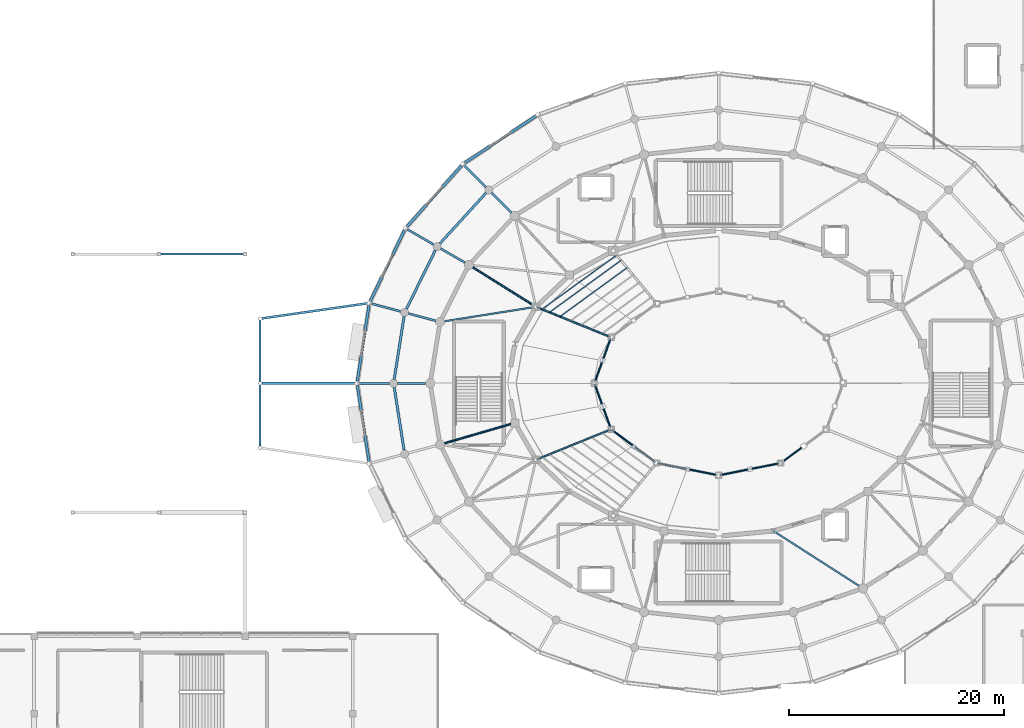
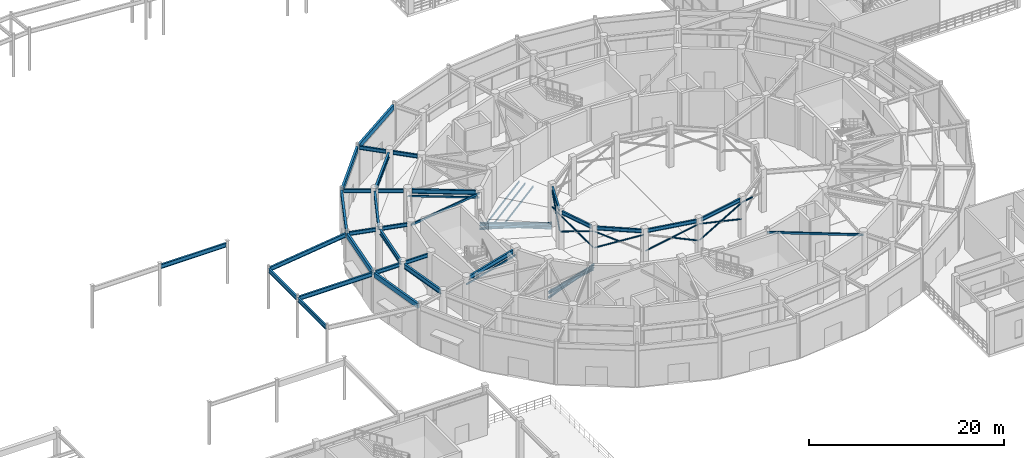
# One storey, part 25 of 93: 31 beams, 27 members.
"""IFC4 building model written with IfcOpenShell, lengths in metres."""

import ifcopenshell
import ifcopenshell.guid

model = None  # the IFC model being written
_history = None  # IfcOwnerHistory: only IFC2X3 demands one
_inside = {}  # id of a spatial element -> (the spatial element, [elements in it])
_under = {}  # id of a project, library or spatial element -> (it, [spatial elements below it])
_declared = {}  # id of a project -> (the project, [libraries it declares])
_typed = {}  # id of a type object -> (the type object, [elements of that type])
_made_of = {}  # id of a material, layer set ... -> (it, [elements and type objects made of it])


def new_model(schema):
    """Start an empty IFC model of exactly this schema.

    Asked for "IFC4X3", IfcOpenShell would pick the latest addendum, in which some entities
    have other attributes; the version numbers below select the first issue.
    IFC2X3 requires an IfcOwnerHistory on every rooted entity: one is made here for all.
    """
    global model, _history
    if schema == "IFC4X3":
        model = ifcopenshell.file(schema_version=(4, 3, 0, 0))
    else:
        model = ifcopenshell.file(schema=schema)
    _inside.clear()
    _under.clear()
    _declared.clear()
    _typed.clear()
    _made_of.clear()
    _history = None
    if model.schema == "IFC2X3":
        org = make("IfcOrganization", Name="unknown")
        user = make(
            "IfcPersonAndOrganization",
            ThePerson=make("IfcPerson", FamilyName="unknown"),
            TheOrganization=org,
        )
        app = make(
            "IfcApplication",
            ApplicationDeveloper=org,
            Version="unknown",
            ApplicationFullName="unknown",
            ApplicationIdentifier="unknown",
        )
        _history = make(
            "IfcOwnerHistory",
            OwningUser=user,
            OwningApplication=app,
            ChangeAction="ADDED",
            CreationDate=0,
        )
    return model


def make(cls, **values):
    """One entity of the class cls with the attributes given. An attribute that is None is left unset."""
    return model.create_entity(
        cls, **{name: value for name, value in values.items() if value is not None}
    )


def rooted(cls, **values):
    """An entity with a GlobalId (a new one), such as an element, a storey or a relation."""
    return make(cls, GlobalId=ifcopenshell.guid.new(), OwnerHistory=_history, **values)


def si_unit(unit_type, name, prefix=None):
    """IfcSIUnit, for example si_unit("LENGTHUNIT", "METRE", prefix="MILLI")."""
    return make("IfcSIUnit", UnitType=unit_type, Prefix=prefix, Name=name)


def assignment(units):
    """IfcUnitAssignment: the units of a project."""
    return None if units is None else make("IfcUnitAssignment", Units=units)


def point(xyz):
    """IfcCartesianPoint."""
    return None if xyz is None else make("IfcCartesianPoint", Coordinates=xyz)


def direction(xyz):
    """IfcDirection."""
    return None if xyz is None else make("IfcDirection", DirectionRatios=xyz)


def frame(location, z_axis=None, x_axis=None):
    """IfcAxis2Placement3D, a coordinate frame: its origin and axes. An axis left out is left unset."""
    return make(
        "IfcAxis2Placement3D",
        Location=point(location),
        Axis=direction(z_axis),
        RefDirection=direction(x_axis),
    )


def frame_2d(location, x_axis=None):
    """IfcAxis2Placement2D, a coordinate frame in the plane: its origin and x axis."""
    return make(
        "IfcAxis2Placement2D", Location=point(location), RefDirection=direction(x_axis)
    )


def origin():
    """The frame at (0, 0, 0) with its axes left unset."""
    return frame((0.0, 0.0, 0.0))


def origin_2d():
    """The frame at (0, 0) in the plane with its x axis left unset."""
    return frame_2d((0.0, 0.0))


def place(relative_to, where):
    """IfcLocalPlacement: puts the frame where relative to a parent placement (None: the world)."""
    return make(
        "IfcLocalPlacement", PlacementRelTo=relative_to, RelativePlacement=where
    )


def context(
    kind, dimensions, precision=None, world=None, true_north=None, identifier=None
):
    """IfcGeometricRepresentationContext, for example the 3D "Model" context."""
    return make(
        "IfcGeometricRepresentationContext",
        ContextIdentifier=identifier,
        ContextType=kind,
        CoordinateSpaceDimension=dimensions,
        Precision=precision,
        WorldCoordinateSystem=world,
        TrueNorth=true_north,
    )


def subcontext(parent, identifier, kind, view, scale=None):
    """IfcGeometricRepresentationSubContext, for example "Body" below "Model"."""
    return make(
        "IfcGeometricRepresentationSubContext",
        ContextIdentifier=identifier,
        ContextType=kind,
        ParentContext=parent,
        TargetScale=scale,
        TargetView=view,
    )


def project(units=None, contexts=None):
    """IfcProject with its units and contexts."""
    return rooted(
        "IfcProject",
        Name="project",
        RepresentationContexts=contexts,
        UnitsInContext=assignment(units),
    )


def spatial(cls, under=None, at=None, **own):
    """A site, building, storey or space (cls), placed at a placement, below another one or the project."""
    s = rooted(cls, ObjectPlacement=at, **own)
    if under is not None:
        _under.setdefault(under.id(), (under, []))[1].append(s)
    return s


def profile(cls, at=None, kind="AREA", **sizes):
    """A parametric profile (cls). Its sizes go by their IFC names, for example OverallWidth=200.0."""
    return make(cls, ProfileType=kind, Position=at, **sizes)


def rectangle(**sizes):
    """IfcRectangleProfileDef."""
    return profile("IfcRectangleProfileDef", **sizes)


def hollow_rectangle(**sizes):
    """IfcRectangleHollowProfileDef."""
    return profile("IfcRectangleHollowProfileDef", **sizes)


def hollow_circle(**sizes):
    """IfcCircleHollowProfileDef."""
    return profile("IfcCircleHollowProfileDef", **sizes)


def i_section(**sizes):
    """IfcIShapeProfileDef."""
    return profile("IfcIShapeProfileDef", **sizes)


def extrude(swept, where, along, depth):
    """IfcExtrudedAreaSolid: the profile swept, set in the frame where, extruded along a direction by depth."""
    return make(
        "IfcExtrudedAreaSolid",
        SweptArea=swept,
        Position=where,
        ExtrudedDirection=direction(along),
        Depth=depth,
    )


def shape(context_of_items, identifier, shape_type, items):
    """IfcShapeRepresentation: the items that make up one representation, for example the "Body"."""
    return make(
        "IfcShapeRepresentation",
        ContextOfItems=context_of_items,
        RepresentationIdentifier=identifier,
        RepresentationType=shape_type,
        Items=items,
    )


def material(Name=None, Category=None):
    """IfcMaterial."""
    return make("IfcMaterial", Name=Name, Category=Category)


def material_profile(
    of_material, cross_section, Name=None, Category=None, Priority=None
):
    """IfcMaterialProfile: a cross section and its material."""
    return make(
        "IfcMaterialProfile",
        Name=Name,
        Material=of_material,
        Profile=cross_section,
        Priority=Priority,
        Category=Category,
    )


def profile_set(profiles, Name=None, composite=None):
    """IfcMaterialProfileSet."""
    return make(
        "IfcMaterialProfileSet",
        Name=Name,
        MaterialProfiles=profiles,
        CompositeProfile=composite,
    )


def made_of(thing, what):
    """Note that an element or type object is made of a material, layer set ...; save() writes the relation."""
    if what is not None:
        _made_of.setdefault(what.id(), (what, []))[1].append(thing)
    return thing


def type_object(cls, material=None, **own):
    """A type object (cls), such as IfcWallType, which elements share."""
    return made_of(rooted(cls, **own), material)


def element(
    cls,
    number,
    at=None,
    inside=None,
    cuts=None,
    type_object=None,
    material=None,
    context=None,
    identifier="Body",
    shape_type=None,
    held_by="IfcProductDefinitionShape",
    body=None,
    shapes=None,
    **own,
):
    """One element of the class cls, such as IfcWall. Its Tag is "e" and its number.

    at: its placement. inside: the storey or other place that contains it. cuts: it is an
    opening in that element (IfcRelVoidsElement). A single representation is given by context,
    identifier, shape_type and body (its items); several are given by shapes. held_by: the class
    of the entity that holds the representations. save() writes the other relations.
    """
    e = rooted(cls, Tag="e%d" % number, ObjectPlacement=at, **own)
    if body is not None:
        shapes = [shape(context, identifier, shape_type, body)]
    if shapes is not None:
        e.Representation = make(held_by, Representations=shapes)
    if inside is not None:
        _inside.setdefault(inside.id(), (inside, []))[1].append(e)
    if cuts is not None:
        rooted(
            "IfcRelVoidsElement", RelatingBuildingElement=cuts, RelatedOpeningElement=e
        )
    if type_object is not None:
        _typed.setdefault(type_object.id(), (type_object, []))[1].append(e)
    return made_of(e, material)


def aggregate(whole, parts):
    """IfcRelAggregates: a whole, such as a stair, and the parts it consists of."""
    return rooted("IfcRelAggregates", RelatingObject=whole, RelatedObjects=parts)


def save(model, path):
    """Write the relations noted so far, then the file.

    IfcRelAggregates (storeys below a building ...), IfcRelContainedInSpatialStructure (elements
    in a storey), IfcRelDefinesByType, IfcRelAssociatesMaterial and IfcRelDeclares: one each for
    every whole, place, type object, material and project.
    """
    for whole, parts in _under.values():
        aggregate(whole, parts)
    for where, things in _inside.values():
        rooted(
            "IfcRelContainedInSpatialStructure",
            RelatedElements=things,
            RelatingStructure=where,
        )
    for kind, things in _typed.values():
        rooted("IfcRelDefinesByType", RelatedObjects=things, RelatingType=kind)
    for what, things in _made_of.values():
        rooted("IfcRelAssociatesMaterial", RelatedObjects=things, RelatingMaterial=what)
    for by, libraries in _declared.values():
        rooted("IfcRelDeclares", RelatingContext=by, RelatedDefinitions=libraries)
    model.write(path)


model = new_model("IFC4")

# Units and contexts
model_context = context("Model", 3, precision=1e-05, world=origin(), true_north=direction((0.0, 1.0)))
body_context = subcontext(model_context, "Body", "Model", "MODEL_VIEW")
ifc_project = project(units=[si_unit("LENGTHUNIT", "METRE"), si_unit("AREAUNIT", "SQUARE_METRE"), si_unit("VOLUMEUNIT", "CUBIC_METRE"), si_unit("PLANEANGLEUNIT", "RADIAN"), si_unit("MASSUNIT", "GRAM", prefix="KILO")], contexts=[model_context])

# Site, building, storey
site_placement = place(None, origin())
site = spatial("IfcSite", under=ifc_project, at=site_placement, CompositionType="ELEMENT")
building_placement = place(site_placement, origin())
building = spatial("IfcBuilding", under=site, at=building_placement, Name="Cinderbank Siding Concert Hall", CompositionType="ELEMENT")
storey_placement = place(building_placement, origin())
storey = spatial("IfcBuildingStorey", under=building, at=storey_placement, Name="L01", CompositionType="ELEMENT", Elevation=0.0)

# Beams
ifc_material_1 = material(Name="Structural steel AS/NZS 3679.1 Grade 350 (340 MPa)", Category="steel")
ifc_material_profile_1 = material_profile(ifc_material_1, i_section(OverallWidth=0.18994140625, OverallDepth=0.45751953125, WebThickness=0.009033203125, FlangeThickness=0.014404296875, at=origin_2d()), Name="460UB74.6", Category="LoadBearing")
ifc_profile_set_1 = profile_set([ifc_material_profile_1], Name="Structural steel AS/NZS 3679.1 Grade 350 (340 MPa)")
beam_type_1 = type_object("IfcBeamType", Name="BM-UB460 460UB74.6", PredefinedType="BEAM", material=ifc_profile_set_1)
for number, where, z_axis, x_axis, name in (
    (1, (111.89794921875, 48.00048828125, 4.893310546875), (-0.340357494057, -0.940296110935, 0.0), (0.940296110935, -0.340357494057, 0.0), "L01 Beam BM-UB460 #154"),
    (2, (110.54931640625, 43.725341796875, 4.893310546875), (0.340357494057, -0.940296110935, 0.0), (0.940296110935, 0.340357494057, 0.0), "L01 Beam BM-UB460 #155"),
):
    element("IfcBeam", number, at=place(storey_placement, frame(where, z_axis=z_axis, x_axis=x_axis)), inside=storey, type_object=beam_type_1, Name=name, PredefinedType="BEAM", context=body_context, shape_type="SweptSolid", body=[
        extrude(i_section(OverallWidth=0.18994140625, OverallDepth=0.45751953125, WebThickness=0.009033203125, FlangeThickness=0.014404296875, at=origin_2d()), origin(), (0.0, 0.0, 1.0), 3.96240234375),
    ])
beam_1_placement = place(storey_placement, frame((112.232177734375, 39.55126953125, 4.893310546875), z_axis=(0.803737525345, -0.594984025291, 0.0), x_axis=(0.594984025291, 0.803737525345, 0.0)))
element("IfcBeam", 3, at=beam_1_placement, inside=storey, type_object=beam_type_1, Name="L01 Beam BM-UB460 #156", PredefinedType="BEAM", context=body_context, shape_type="SweptSolid", body=[
    extrude(i_section(OverallWidth=0.18994140625, OverallDepth=0.45751953125, WebThickness=0.009033203125, FlangeThickness=0.014404296875, at=origin_2d()), origin(), (0.0, 0.0, 1.0), 4.67578125),
])
for number, where, z_axis, x_axis, name in (
    (4, (116.511474609375, 36.538818359375, 4.893310546875), (0.980885780775, -0.19458439062, 0.0), (0.19458439062, 0.980885780775, 0.0), "L01 Beam BM-UB460 #157"),
    (5, (122.286376953125, 35.5068359375, 4.893310546875), (0.980885780775, 0.19458439062, 0.0), (-0.19458439062, 0.980885780775, 0.0), "L01 Beam BM-UB460 #158"),
):
    element("IfcBeam", number, at=place(storey_placement, frame(where, z_axis=z_axis, x_axis=x_axis)), inside=storey, type_object=beam_type_1, Name=name, PredefinedType="BEAM", context=body_context, shape_type="SweptSolid", body=[
        extrude(i_section(OverallWidth=0.18994140625, OverallDepth=0.45751953125, WebThickness=0.009033203125, FlangeThickness=0.014404296875, at=origin_2d()), origin(), (0.0, 0.0, 1.0), 5.303466796875),
    ])
ifc_material_profile_2 = material_profile(ifc_material_1, i_section(OverallWidth=0.19091796875, OverallDepth=0.46044921875, WebThickness=0.010009765625, FlangeThickness=0.01611328125, at=origin_2d()), Name="460UB82.1", Category="LoadBearing")
ifc_profile_set_2 = profile_set([ifc_material_profile_2], Name="Structural steel AS/NZS 3679.1 Grade 350 (340 MPa)")
beam_type_2 = type_object("IfcBeamType", Name="BM-UB460H 460UB82.1", PredefinedType="BEAM", material=ifc_profile_set_2)
beam_2_placement = place(storey_placement, frame((111.951171875, 48.293701171875, -0.215087890625), z_axis=(-0.916782333884, 0.37151549859, 0.146582354278), x_axis=(-0.375572253485, -0.926793117374, 0.0)))
element("IfcBeam", 6, at=beam_2_placement, inside=storey, type_object=beam_type_2, Name="L01 Beam BM-UB460H #97", PredefinedType="BEAM", context=body_context, shape_type="SweptSolid", body=[
    extrude(i_section(OverallWidth=0.19091796875, OverallDepth=0.46044921875, WebThickness=0.010009765625, FlangeThickness=0.01611328125, at=origin_2d()), origin(), (0.0, 0.0, 1.0), 7.50341796875),
])
beam_3_placement = place(storey_placement, frame((102.754638671875, 59.851318359375, 4.891845703125), z_axis=(-0.707153444121, 0.707060115172, 0.0), x_axis=(-0.707060115172, -0.707153444121, 0.0)))
element("IfcBeam", 7, at=beam_3_placement, inside=storey, type_object=beam_type_2, Name="L01 Beam BM-UB460H #401", PredefinedType="BEAM", context=body_context, shape_type="SweptSolid", body=[
    extrude(i_section(OverallWidth=0.19091796875, OverallDepth=0.46044921875, WebThickness=0.010009765625, FlangeThickness=0.01611328125, at=origin_2d()), origin(), (0.0, 0.0, 1.0), 2.615966796875),
])
beam_4_placement = place(storey_placement, frame((98.429443359375, 55.20849609375, 4.891845703125), z_axis=(-0.866017746076, 0.500013263306, 0.0), x_axis=(-0.500013263306, -0.866017746076, 0.0)))
element("IfcBeam", 8, at=beam_4_placement, inside=storey, type_object=beam_type_2, Name="L01 Beam BM-UB460H #402", PredefinedType="BEAM", context=body_context, shape_type="SweptSolid", body=[
    extrude(i_section(OverallWidth=0.19091796875, OverallDepth=0.46044921875, WebThickness=0.010009765625, FlangeThickness=0.01611328125, at=origin_2d()), origin(), (0.0, 0.0, 1.0), 2.6162109375),
])
for number, where, z_axis, x_axis, name in (
    (9, (95.71044921875, 49.802001953125, 4.891845703125), (-0.965932222184, 0.258795174118, 0.0), (-0.258795174118, -0.965932222184, 0.0), "L01 Beam BM-UB460H #403"),
    (10, (94.782958984375, 44.0, 4.891845703125), (-1.0, 0.0, 0.0), (0.0, -1.0, 0.0), "L01 Beam BM-UB460H #404"),
):
    element("IfcBeam", number, at=place(storey_placement, frame(where, z_axis=z_axis, x_axis=x_axis)), inside=storey, type_object=beam_type_2, Name=name, PredefinedType="BEAM", context=body_context, shape_type="SweptSolid", body=[
        extrude(i_section(OverallWidth=0.19091796875, OverallDepth=0.46044921875, WebThickness=0.010009765625, FlangeThickness=0.01611328125, at=origin_2d()), origin(), (0.0, 0.0, 1.0), 2.615966796875),
    ])
beam_5_placement = place(storey_placement, frame((100.385986328125, 62.219970703125, 4.871826171875), z_axis=(-0.707106781187, 0.707106781187, 0.0), x_axis=(-0.707106781187, -0.707106781187, 0.0)))
element("IfcBeam", 11, at=beam_5_placement, inside=storey, type_object=beam_type_2, Name="L01 Beam BM-UB460H #425", PredefinedType="BEAM", context=body_context, shape_type="SweptSolid", body=[
    extrude(i_section(OverallWidth=0.19091796875, OverallDepth=0.46044921875, WebThickness=0.010009765625, FlangeThickness=0.01611328125, at=origin_2d()), origin(), (0.0, 0.0, 1.0), 2.838134765625),
])
for number, where, z_axis, x_axis, name in (
    (12, (95.5283203125, 56.883544921875, 4.871826171875), (-0.866032301043, 0.499988053408, 0.0), (-0.499988053408, -0.866032301043, 0.0), "L01 Beam BM-UB460H #426"),
    (13, (92.474609375, 50.6689453125, 4.871826171875), (-0.965915793318, 0.258856485758, 0.0), (-0.258856485758, -0.965915793318, 0.0), "L01 Beam BM-UB460H #427"),
    (14, (91.43310546875, 44.0, 4.871826171875), (-1.0, 0.0, 0.0), (0.0, -1.0, 0.0), "L01 Beam BM-UB460H #428"),
):
    element("IfcBeam", number, at=place(storey_placement, frame(where, z_axis=z_axis, x_axis=x_axis)), inside=storey, type_object=beam_type_2, Name=name, PredefinedType="BEAM", context=body_context, shape_type="SweptSolid", body=[
        extrude(i_section(OverallWidth=0.19091796875, OverallDepth=0.46044921875, WebThickness=0.010009765625, FlangeThickness=0.01611328125, at=origin_2d()), origin(), (0.0, 0.0, 1.0), 2.837890625),
    ])
ifc_material_profile_3 = material_profile(ifc_material_1, i_section(OverallWidth=0.208984375, OverallDepth=0.5283203125, WebThickness=0.009521484375, FlangeThickness=0.01318359375, at=origin_2d()), Name="530UB82.0", Category="LoadBearing")
ifc_profile_set_3 = profile_set([ifc_material_profile_3], Name="Structural steel AS/NZS 3679.1 Grade 350 (340 MPa)")
beam_type_3 = type_object("IfcBeamType", Name="BM-UB530 530UB82.0", PredefinedType="BEAM", material=ifc_profile_set_3)
for number, where, z_axis, x_axis, name in (
    (15, (79.39990234375, 38.154052734375, 4.8359375), (0.0, 1.0, 0.0), (-1.0, 0.0, 0.0), "L01 Beam BM-UB530 #31"),
    (16, (79.39990234375, 44.154052734375, 4.8359375), (0.0, 1.0, 0.0), (-1.0, 0.0, 0.0), "L01 Beam BM-UB530 #32"),
):
    element("IfcBeam", number, at=place(storey_placement, frame(where, z_axis=z_axis, x_axis=x_axis)), inside=storey, type_object=beam_type_3, Name=name, PredefinedType="BEAM", context=body_context, shape_type="SweptSolid", body=[
        extrude(i_section(OverallWidth=0.208984375, OverallDepth=0.5283203125, WebThickness=0.009521484375, FlangeThickness=0.01318359375, at=origin_2d()), origin(), (0.0, 0.0, 1.0), 5.69189453125),
    ])
beam_6_placement = place(storey_placement, frame((79.553955078125, 44.0, 4.8359375), z_axis=(1.0, 0.0, 0.0), x_axis=(0.0, 1.0, 0.0)))
element("IfcBeam", 17, at=beam_6_placement, inside=storey, type_object=beam_type_3, Name="L01 Beam BM-UB530 #34", PredefinedType="BEAM", context=body_context, shape_type="SweptSolid", body=[
    extrude(i_section(OverallWidth=0.208984375, OverallDepth=0.5283203125, WebThickness=0.009521484375, FlangeThickness=0.01318359375, at=origin_2d()), origin(), (0.0, 0.0, 1.0), 8.65087890625),
])
beam_7_placement = place(storey_placement, frame((79.552490234375, 50.021728515625, 4.8359375), z_axis=(0.989883786207, 0.141880547662, 0.0), x_axis=(-0.141880547662, 0.989883786207, 0.0)))
element("IfcBeam", 18, at=beam_7_placement, inside=storey, type_object=beam_type_3, Name="L01 Beam BM-UB530 #35", PredefinedType="BEAM", context=body_context, shape_type="SweptSolid", body=[
    extrude(i_section(OverallWidth=0.208984375, OverallDepth=0.5283203125, WebThickness=0.009521484375, FlangeThickness=0.01318359375, at=origin_2d()), origin(), (0.0, 0.0, 1.0), 9.8994140625),
])
beam_8_placement = place(storey_placement, frame((70.15380859375, 56.0, 4.85791015625), z_axis=(1.0, 0.0, 0.0), x_axis=(0.0, 1.0, 0.0)))
element("IfcBeam", 19, at=beam_8_placement, inside=storey, type_object=beam_type_3, Name="L01 Beam BM-UB530 #1445", PredefinedType="BEAM", context=body_context, shape_type="SweptSolid", body=[
    extrude(i_section(OverallWidth=0.208984375, OverallDepth=0.5283203125, WebThickness=0.009521484375, FlangeThickness=0.01318359375, at=origin_2d()), origin(), (0.0, 0.0, 1.0), 7.6923828125),
])
ifc_material_profile_4 = material_profile(ifc_material_1, i_section(OverallWidth=0.208984375, OverallDepth=0.532958984375, WebThickness=0.01025390625, FlangeThickness=0.015625, at=origin_2d()), Name="530UB92.4", Category="LoadBearing")
ifc_profile_set_4 = profile_set([ifc_material_profile_4], Name="Structural steel AS/NZS 3679.1 Grade 350 (340 MPa)")
beam_type_4 = type_object("IfcBeamType", Name="BM-UB530H 530UB92.4", PredefinedType="BEAM", material=ifc_profile_set_4)
beam_9_placement = place(storey_placement, frame((104.73583984375, 51.281494140625, 4.87548828125), z_axis=(-0.847831894761, 0.530265101836, 0.0), x_axis=(-0.530265101836, -0.847831894761, 0.0)))
element("IfcBeam", 20, at=beam_9_placement, inside=storey, type_object=beam_type_4, Name="L01 Beam BM-UB530H #384", PredefinedType="BEAM", context=body_context, shape_type="SweptSolid", body=[
    extrude(i_section(OverallWidth=0.208984375, OverallDepth=0.532958984375, WebThickness=0.01025390625, FlangeThickness=0.015625, at=origin_2d()), origin(), (0.0, 0.0, 1.0), 6.595458984375),
])
beam_10_placement = place(storey_placement, frame((102.71533203125, 40.222412109375, 4.87548828125), z_axis=(-0.960354063368, -0.278783200664, 0.0), x_axis=(0.278783200664, -0.960354063368, 0.0)))
element("IfcBeam", 21, at=beam_10_placement, inside=storey, type_object=beam_type_4, Name="L01 Beam BM-UB530H #385", PredefinedType="BEAM", context=body_context, shape_type="SweptSolid", body=[
    extrude(i_section(OverallWidth=0.208984375, OverallDepth=0.532958984375, WebThickness=0.01025390625, FlangeThickness=0.015625, at=origin_2d()), origin(), (0.0, 0.0, 1.0), 6.457763671875),
])
ifc_material_profile_5 = material_profile(ifc_material_1, i_section(OverallWidth=0.22802734375, OverallDepth=0.60693359375, WebThickness=0.01123046875, FlangeThickness=0.017333984375, at=origin_2d()), Name="610UB113", Category="LoadBearing")
ifc_profile_set_5 = profile_set([ifc_material_profile_5], Name="Structural steel AS/NZS 3679.1 Grade 350 (340 MPa)")
beam_type_5 = type_object("IfcBeamType", Name="BM-UB610M 610UB113", PredefinedType="BEAM", material=ifc_profile_set_5)
beam_11_placement = place(storey_placement, frame((100.39794921875, 61.689453125, 4.798583984375), z_axis=(-0.673967477755, -0.738761016113, 0.0), x_axis=(0.738761016113, -0.673967477755, 0.0)))
element("IfcBeam", 22, at=beam_11_placement, inside=storey, type_object=beam_type_5, Name="L01 Beam BM-UB610M #342", PredefinedType="BEAM", context=body_context, shape_type="SweptSolid", body=[
    extrude(i_section(OverallWidth=0.22802734375, OverallDepth=0.60693359375, WebThickness=0.01123046875, FlangeThickness=0.017333984375, at=origin_2d()), origin(), (0.0, 0.0, 1.0), 6.38671875),
])
beam_12_placement = place(storey_placement, frame((95.683837890625, 56.370849609375, 4.798583984375), z_axis=(-0.441805555106, -0.89711083567, 0.0), x_axis=(0.89711083567, -0.441805555106, 0.0)))
element("IfcBeam", 23, at=beam_12_placement, inside=storey, type_object=beam_type_5, Name="L01 Beam BM-UB610M #343", PredefinedType="BEAM", context=body_context, shape_type="SweptSolid", body=[
    extrude(i_section(OverallWidth=0.22802734375, OverallDepth=0.60693359375, WebThickness=0.01123046875, FlangeThickness=0.017333984375, at=origin_2d()), origin(), (0.0, 0.0, 1.0), 6.094482421875),
])
for number, where, z_axis, x_axis, name in (
    (24, (92.772216796875, 50.21142578125, 4.798583984375), (-0.154647347638, -0.9879697353, 0.0), (0.9879697353, -0.154647347638, 0.0), "L01 Beam BM-UB610M #344"),
    (25, (91.856689453125, 43.637451171875, 4.798583984375), (0.154647347638, -0.9879697353, 0.0), (0.9879697353, 0.154647347638, 0.0), "L01 Beam BM-UB610M #345"),
):
    element("IfcBeam", number, at=place(storey_placement, frame(where, z_axis=z_axis, x_axis=x_axis)), inside=storey, type_object=beam_type_5, Name=name, PredefinedType="BEAM", context=body_context, shape_type="SweptSolid", body=[
        extrude(i_section(OverallWidth=0.22802734375, OverallDepth=0.60693359375, WebThickness=0.01123046875, FlangeThickness=0.017333984375, at=origin_2d()), origin(), (0.0, 0.0, 1.0), 5.920166015625),
    ])

# Members
ifc_material_2 = material(Name="Structural steel hollow section AS/NZS 1163 Grade C350L0 (350 MPa)", Category="steel")
ifc_material_profile_6 = material_profile(ifc_material_2, hollow_circle(Radius=0.084228515625, WallThickness=0.007080078125, at=origin_2d()), Name="168.3x7.1CHS", Category="LoadBearing")
ifc_profile_set_6 = profile_set([ifc_material_profile_6], Name="Structural steel hollow section AS/NZS 1163 Grade C350L0 (350 MPa)")
member_type_1 = type_object("IfcMemberType", Name="BR-CHS168 168.3x7.1CHS Roof Truss", PredefinedType="BRACE", material=ifc_profile_set_6)
member_1_placement = place(storey_placement, frame((111.997314453125, 48.27490234375, 0.300048828125), z_axis=(-0.922572191264, 0.373875167127, 0.095278073614), x_axis=(-0.375583811967, -0.926788433349, 0.0)))
element("IfcMember", 26, at=member_1_placement, inside=storey, type_object=member_type_1, Name="L01 Diagonal Brace BR-CHS168 #RKDG-BR-CHS168-L01-1924", PredefinedType="BRACE", context=body_context, shape_type="SweptSolid", body=[
    extrude(hollow_circle(Radius=0.084228515625, WallThickness=0.007080078125, at=origin_2d()), origin(), (0.0, 0.0, 1.0), 7.556640625),
])
member_2_placement = place(storey_placement, frame((105.02587890625, 51.10009765625, 0.300048828125), z_axis=(0.925607313722, -0.375105159671, -0.050469990806), x_axis=(0.375583811967, 0.926788433349, 0.0)))
element("IfcMember", 27, at=member_2_placement, inside=storey, type_object=member_type_1, Name="L01 Diagonal Brace BR-CHS168 #RKDG-BR-CHS168-L01-1925", PredefinedType="BRACE", context=body_context, shape_type="SweptSolid", body=[
    extrude(hollow_circle(Radius=0.084228515625, WallThickness=0.007080078125, at=origin_2d()), origin(), (0.0, 0.0, 1.0), 7.53173828125),
])
member_3_placement = place(storey_placement, frame((111.997314453125, 39.72509765625, 0.300048828125), z_axis=(-0.922572191264, -0.373875167127, 0.095278073614), x_axis=(0.375583811967, -0.926788433349, 0.0)))
element("IfcMember", 28, at=member_3_placement, inside=storey, type_object=member_type_1, Name="L01 Diagonal Brace BR-CHS168 #RKDG-BR-CHS168-L01-1927", PredefinedType="BRACE", context=body_context, shape_type="SweptSolid", body=[
    extrude(hollow_circle(Radius=0.084228515625, WallThickness=0.007080078125, at=origin_2d()), origin(), (0.0, 0.0, 1.0), 7.556640625),
])
member_4_placement = place(storey_placement, frame((105.02587890625, 36.89990234375, 0.300048828125), z_axis=(0.925607313722, 0.375105159671, -0.050469990806), x_axis=(-0.375583811967, 0.926788433349, 0.0)))
element("IfcMember", 29, at=member_4_placement, inside=storey, type_object=member_type_1, Name="L01 Diagonal Brace BR-CHS168 #RKDG-BR-CHS168-L01-1928", PredefinedType="BRACE", context=body_context, shape_type="SweptSolid", body=[
    extrude(hollow_circle(Radius=0.084228515625, WallThickness=0.007080078125, at=origin_2d()), origin(), (0.0, 0.0, 1.0), 7.53173828125),
])
member_5_placement = place(storey_placement, frame((111.97021484375, 48.19970703125, 2.39990234375), z_axis=(-0.308608926493, -0.852598398065, 0.421706654092), x_axis=(0.940297792876, -0.340352847368, 0.0)))
element("IfcMember", 30, at=member_5_placement, inside=storey, type_object=member_type_1, Name="L01 Diagonal Brace BR-CHS168 #RKCR-BR-CHS168-L01-2032", PredefinedType="BRACE", context=body_context, shape_type="SweptSolid", body=[
    extrude(hollow_circle(Radius=0.084228515625, WallThickness=0.007080078125, at=origin_2d()), origin(), (0.0, 0.0, 1.0), 4.837646484375),
])
member_6_placement = place(storey_placement, frame((110.477294921875, 44.0751953125, 2.39990234375), z_axis=(0.308537116783, 0.852590222315, 0.421775722844), x_axis=(-0.940322092228, 0.340285707705, 0.0)))
element("IfcMember", 31, at=member_6_placement, inside=storey, type_object=member_type_1, Name="L01 Diagonal Brace BR-CHS168 #RKCR-BR-CHS168-L01-2033", PredefinedType="BRACE", context=body_context, shape_type="SweptSolid", body=[
    extrude(hollow_circle(Radius=0.084228515625, WallThickness=0.007080078125, at=origin_2d()), origin(), (0.0, 0.0, 1.0), 2.40380859375),
])
member_7_placement = place(storey_placement, frame((111.228271484375, 46.150390625, 3.42626953125), z_axis=(0.308668949774, 0.852572281804, 0.421715524667), x_axis=(-0.940273268488, 0.34042059363, 0.0)))
element("IfcMember", 32, at=member_7_placement, inside=storey, type_object=member_type_1, Name="L01 Diagonal Brace BR-CHS168 #RKCR-BR-CHS168-L01-2033-S170", PredefinedType="BRACE", context=body_context, shape_type="SweptSolid", body=[
    extrude(hollow_circle(Radius=0.084228515625, WallThickness=0.007080078125, at=origin_2d()), origin(), (0.0, 0.0, 1.0), 2.403564453125),
])
member_8_placement = place(storey_placement, frame((110.477294921875, 43.9248046875, 2.39990234375), z_axis=(0.308608926493, -0.852598398065, 0.421706654092), x_axis=(0.940297792876, 0.340352847368, 0.0)))
element("IfcMember", 33, at=member_8_placement, inside=storey, type_object=member_type_1, Name="L01 Diagonal Brace BR-CHS168 #RKCR-BR-CHS168-L01-2034", PredefinedType="BRACE", context=body_context, shape_type="SweptSolid", body=[
    extrude(hollow_circle(Radius=0.084228515625, WallThickness=0.007080078125, at=origin_2d()), origin(), (0.0, 0.0, 1.0), 4.837646484375),
])
for number, where, z_axis, x_axis, name in (
    (34, (111.97021484375, 39.80029296875, 2.39990234375), (-0.308655727713, 0.852535761244, 0.421799025071), (-0.940273268488, -0.34042059363, 0.0), "L01 Diagonal Brace BR-CHS168 #RKCR-BR-CHS168-L01-2035"),
    (35, (111.218994140625, 41.875244140625, 3.42626953125), (-0.308550332303, 0.852626741173, 0.421692225056), (-0.940322092228, -0.340285707705, 0.0), "L01 Diagonal Brace BR-CHS168 #RKCR-BR-CHS168-L01-2035-S171"),
):
    element("IfcMember", number, at=place(storey_placement, frame(where, z_axis=z_axis, x_axis=x_axis)), inside=storey, type_object=member_type_1, Name=name, PredefinedType="BRACE", context=body_context, shape_type="SweptSolid", body=[
        extrude(hollow_circle(Radius=0.084228515625, WallThickness=0.007080078125, at=origin_2d()), origin(), (0.0, 0.0, 1.0), 2.40380859375),
    ])
member_9_placement = place(storey_placement, frame((112.061767578125, 39.677490234375, 2.39990234375), z_axis=(0.746234310945, -0.552441851852, 0.371405914722), x_axis=(0.595001989932, 0.803724226322, 0.0)))
element("IfcMember", 36, at=member_9_placement, inside=storey, type_object=member_type_1, Name="L01 Diagonal Brace BR-CHS168 #RKCR-BR-CHS168-L01-2036", PredefinedType="BRACE", context=body_context, shape_type="SweptSolid", body=[
    extrude(hollow_circle(Radius=0.084228515625, WallThickness=0.007080078125, at=origin_2d()), origin(), (0.0, 0.0, 1.0), 5.49267578125),
])
member_10_placement = place(storey_placement, frame((114.10009765625, 38.16845703125, 3.425537109375), z_axis=(-0.74623631097, 0.552459772201, 0.3713752392), x_axis=(-0.595013427463, -0.803715758921, 0.0)))
element("IfcMember", 37, at=member_10_placement, inside=storey, type_object=member_type_1, Name="L01 Diagonal Brace BR-CHS168 #RKCR-BR-CHS168-L01-2037-S172", PredefinedType="BRACE", context=body_context, shape_type="SweptSolid", body=[
    extrude(hollow_circle(Radius=0.084228515625, WallThickness=0.007080078125, at=origin_2d()), origin(), (0.0, 0.0, 1.0), 2.7314453125),
])
member_11_placement = place(storey_placement, frame((116.303466796875, 36.579833984375, 2.39990234375), z_axis=(0.924025557561, -0.183271159216, 0.335542025943), x_axis=(0.194550158365, 0.980892571019, 0.0)))
element("IfcMember", 38, at=member_11_placement, inside=storey, type_object=member_type_1, Name="L01 Diagonal Brace BR-CHS168 #RKCR-BR-CHS168-L01-2038", PredefinedType="BRACE", context=body_context, shape_type="SweptSolid", body=[
    extrude(hollow_circle(Radius=0.084228515625, WallThickness=0.007080078125, at=origin_2d()), origin(), (0.0, 0.0, 1.0), 6.079833984375),
])
member_12_placement = place(storey_placement, frame((121.92138671875, 35.465576171875, 2.39990234375), z_axis=(-0.923998003375, 0.183298346057, 0.335603048396), x_axis=(-0.19458350852, -0.980885955762, 0.0)))
element("IfcMember", 39, at=member_12_placement, inside=storey, type_object=member_type_1, Name="L01 Diagonal Brace BR-CHS168 #RKCR-BR-CHS168-L01-2039", PredefinedType="BRACE", context=body_context, shape_type="SweptSolid", body=[
    extrude(hollow_circle(Radius=0.084228515625, WallThickness=0.007080078125, at=origin_2d()), origin(), (0.0, 0.0, 1.0), 3.02490234375),
])
member_13_placement = place(storey_placement, frame((122.07861328125, 35.465576171875, 2.39990234375), z_axis=(0.924025557561, 0.183271159216, 0.335542025943), x_axis=(-0.194550158365, 0.980892571019, 0.0)))
element("IfcMember", 40, at=member_13_placement, inside=storey, type_object=member_type_1, Name="L01 Diagonal Brace BR-CHS168 #RKCR-BR-CHS168-L01-2040", PredefinedType="BRACE", context=body_context, shape_type="SweptSolid", body=[
    extrude(hollow_circle(Radius=0.084228515625, WallThickness=0.007080078125, at=origin_2d()), origin(), (0.0, 0.0, 1.0), 6.079833984375),
])
member_14_placement = place(storey_placement, frame((127.696533203125, 36.579833984375, 2.39990234375), z_axis=(-0.924009804474, -0.183284676911, 0.335578021399), x_axis=(0.194567156265, -0.980889199504, 0.0)))
element("IfcMember", 41, at=member_14_placement, inside=storey, type_object=member_type_1, Name="L01 Diagonal Brace BR-CHS168 #RKCR-BR-CHS168-L01-2041", PredefinedType="BRACE", context=body_context, shape_type="SweptSolid", body=[
    extrude(hollow_circle(Radius=0.084228515625, WallThickness=0.007080078125, at=origin_2d()), origin(), (0.0, 0.0, 1.0), 3.025146484375),
])
member_15_placement = place(storey_placement, frame((124.87353515625, 36.02001953125, 3.425048828125), z_axis=(-0.924023030085, -0.183303310737, 0.335531423485), x_axis=(0.19458350852, -0.980885955762, 0.0)))
element("IfcMember", 42, at=member_15_placement, inside=storey, type_object=member_type_1, Name="L01 Diagonal Brace BR-CHS168 #RKCR-BR-CHS168-L01-2041-S174", PredefinedType="BRACE", context=body_context, shape_type="SweptSolid", body=[
    extrude(hollow_circle(Radius=0.084228515625, WallThickness=0.007080078125, at=origin_2d()), origin(), (0.0, 0.0, 1.0), 3.024658203125),
])
member_16_placement = place(storey_placement, frame((129.877685546875, 38.152099609375, 3.425537109375), z_axis=(-0.74623631097, -0.552459772201, 0.3713752392), x_axis=(0.595013427463, -0.803715758921, 0.0)))
element("IfcMember", 43, at=member_16_placement, inside=storey, type_object=member_type_1, Name="L01 Diagonal Brace BR-CHS168 #RKCR-BR-CHS168-L01-2043-S175", PredefinedType="BRACE", context=body_context, shape_type="SweptSolid", body=[
    extrude(hollow_circle(Radius=0.084228515625, WallThickness=0.007080078125, at=origin_2d()), origin(), (0.0, 0.0, 1.0), 2.7314453125),
])

# Beam
ifc_material_profile_7 = material_profile(ifc_material_1, i_section(OverallWidth=0.172119140625, OverallDepth=0.358642578125, WebThickness=0.008056640625, FlangeThickness=0.012939453125, at=origin_2d()), Name="360UB56.7", Category="LoadBearing")
ifc_profile_set_7 = profile_set([ifc_material_profile_7], Name="Structural steel AS/NZS 3679.1 Grade 350 (340 MPa)")
beam_type_6 = type_object("IfcBeamType", Name="JS-UB360H 360UB56.7", PredefinedType="JOIST", material=ifc_profile_set_7)
beam_13_placement = place(storey_placement, frame((111.951171875, 39.706298828125, -0.164306640625), z_axis=(-0.916777960879, -0.371513726481, 0.146614192636), x_axis=(0.375572253485, -0.926793117374, 0.0)))
element("IfcBeam", 44, at=beam_13_placement, inside=storey, type_object=beam_type_6, Name="L01 Beam JS-UB360H #98", PredefinedType="JOIST", context=body_context, shape_type="SweptSolid", body=[
    extrude(i_section(OverallWidth=0.172119140625, OverallDepth=0.358642578125, WebThickness=0.008056640625, FlangeThickness=0.012939453125, at=origin_2d()), origin(), (0.0, 0.0, 1.0), 7.50341796875),
])

# Members
ifc_material_profile_8 = material_profile(ifc_material_2, hollow_rectangle(XDim=0.10009765625, YDim=0.199951171875, WallThickness=0.008056640625, at=origin_2d()), Name="200x100x8.0RHS", Category="LoadBearing")
ifc_profile_set_8 = profile_set([ifc_material_profile_8], Name="Structural steel hollow section AS/NZS 1163 Grade C350L0 (350 MPa)")
member_type_2 = type_object("IfcMemberType", Name="PR-RHS200 200x100x8.0RHS Roof Truss", PredefinedType="PURLIN", material=ifc_profile_set_8)
member_17_placement = place(storey_placement, frame((113.488037109375, 54.731689453125, 0.447998046875), z_axis=(-0.808497668227, -0.588499380179, 0.0), x_axis=(0.588499380179, -0.808497668227, 0.0)))
element("IfcMember", 45, at=member_17_placement, inside=storey, type_object=member_type_2, Name="L01 Roof Truss Member PR-RHS200 #1960", PredefinedType="PURLIN", context=body_context, shape_type="SweptSolid", body=[
    extrude(hollow_rectangle(XDim=0.10009765625, YDim=0.199951171875, WallThickness=0.008056640625, at=origin_2d()), origin(), (0.0, 0.0, 1.0), 7.70703125),
])
member_18_placement = place(storey_placement, frame((112.924560546875, 55.416748046875, 0.60205078125), z_axis=(-0.80912163461, -0.587641200398, 0.0), x_axis=(0.587641200398, -0.80912163461, 0.0)))
element("IfcMember", 46, at=member_18_placement, inside=storey, type_object=member_type_2, Name="L01 Roof Truss Member PR-RHS200 #1961", PredefinedType="PURLIN", context=body_context, shape_type="SweptSolid", body=[
    extrude(hollow_rectangle(XDim=0.10009765625, YDim=0.199951171875, WallThickness=0.008056640625, at=origin_2d()), origin(), (0.0, 0.0, 1.0), 8.211181640625),
])
member_19_placement = place(storey_placement, frame((112.52197265625, 55.90625, 0.7119140625), z_axis=(-0.809508911887, -0.587107589438, 0.0), x_axis=(0.587107589438, -0.809508911887, 0.0)))
element("IfcMember", 47, at=member_19_placement, inside=storey, type_object=member_type_2, Name="L01 Roof Truss Member PR-RHS200 #1962", PredefinedType="PURLIN", context=body_context, shape_type="SweptSolid", body=[
    extrude(hollow_rectangle(XDim=0.10009765625, YDim=0.199951171875, WallThickness=0.008056640625, at=origin_2d()), origin(), (0.0, 0.0, 1.0), 8.5712890625),
])
member_20_placement = place(storey_placement, frame((105.02587890625, 51.10009765625, 4.239990234375), z_axis=(-0.847826684568, 0.530273432235, 0.0), x_axis=(-0.530273432235, -0.847826684568, 0.0)))
element("IfcMember", 48, at=member_20_placement, inside=storey, type_object=member_type_2, Name="L01 Roof Truss Member PR-RHS200 #2190", PredefinedType="PURLIN", context=body_context, shape_type="SweptSolid", body=[
    extrude(hollow_rectangle(XDim=0.10009765625, YDim=0.199951171875, WallThickness=0.008056640625, at=origin_2d()), origin(), (0.0, 0.0, 1.0), 7.3544921875),
])
member_21_placement = place(storey_placement, frame((103.06787109375, 40.32470703125, 4.239990234375), z_axis=(-0.960356417746, -0.278775090161, 0.0), x_axis=(0.278775090161, -0.960356417746, 0.0)))
element("IfcMember", 49, at=member_21_placement, inside=storey, type_object=member_type_2, Name="L01 Roof Truss Member PR-RHS200 #2193", PredefinedType="PURLIN", context=body_context, shape_type="SweptSolid", body=[
    extrude(hollow_rectangle(XDim=0.10009765625, YDim=0.199951171875, WallThickness=0.008056640625, at=origin_2d()), origin(), (0.0, 0.0, 1.0), 7.24169921875),
])

# Beams
ifc_material_3 = material(Name="Spotted gum glulam timber GL18 (42 MPa)", Category="wood")
ifc_material_profile_9 = material_profile(ifc_material_3, rectangle(XDim=0.239990234375, YDim=0.60009765625, at=origin_2d()), Name="GL18-240x600", Category="LoadBearing")
ifc_profile_set_9 = profile_set([ifc_material_profile_9], Name="Spotted gum glulam timber GL18 (42 MPa)")
beam_type_7 = type_object("IfcBeamType", Name="SP-GL600 GL18-240x600", PredefinedType="SPANDREL", material=ifc_profile_set_9)
beam_14_placement = place(storey_placement, frame((105.036865234375, 68.834228515625, 4.802001953125), z_axis=(-0.835488051266, -0.549508613392, 0.0), x_axis=(0.549508613392, -0.835488051266, 0.0)))
element("IfcBeam", 50, at=beam_14_placement, inside=storey, type_object=beam_type_7, Name="L01 Beam SP-GL600 #365", PredefinedType="SPANDREL", context=body_context, shape_type="SweptSolid", body=[
    extrude(rectangle(XDim=0.239990234375, YDim=0.60009765625, at=origin_2d()), origin(), (0.0, 0.0, 1.0), 7.9384765625),
])
beam_15_placement = place(storey_placement, frame((98.111083984375, 64.21923828125, 4.802001953125), z_axis=(-0.66699631625, -0.745061013682, 0.0), x_axis=(0.745061013682, -0.66699631625, 0.0)))
element("IfcBeam", 51, at=beam_15_placement, inside=storey, type_object=beam_type_7, Name="L01 Beam SP-GL600 #366", PredefinedType="SPANDREL", context=body_context, shape_type="SweptSolid", body=[
    extrude(rectangle(XDim=0.239990234375, YDim=0.60009765625, at=origin_2d()), origin(), (0.0, 0.0, 1.0), 7.615234375),
])
beam_16_placement = place(storey_placement, frame((92.816650390625, 58.22412109375, 4.802001953125), z_axis=(-0.435119119312, -0.900372896087, 0.0), x_axis=(0.900372896087, -0.435119119312, 0.0)))
element("IfcBeam", 52, at=beam_16_placement, inside=storey, type_object=beam_type_7, Name="L01 Beam SP-GL600 #367", PredefinedType="SPANDREL", context=body_context, shape_type="SweptSolid", body=[
    extrude(rectangle(XDim=0.239990234375, YDim=0.60009765625, at=origin_2d()), origin(), (0.0, 0.0, 1.0), 7.323974609375),
])
for number, where, z_axis, x_axis, name in (
    (53, (89.515380859375, 51.260986328125, 4.802001953125), (-0.151823720732, -0.988407586891, 0.0), (0.988407586891, -0.151823720732, 0.0), "L01 Beam SP-GL600 #368"),
    (54, (88.4296875, 43.80712890625, 4.802001953125), (0.151823720732, -0.988407586891, 0.0), (0.988407586891, 0.151823720732, 0.0), "L01 Beam SP-GL600 #369"),
):
    element("IfcBeam", number, at=place(storey_placement, frame(where, z_axis=z_axis, x_axis=x_axis)), inside=storey, type_object=beam_type_7, Name=name, PredefinedType="SPANDREL", context=body_context, shape_type="SweptSolid", body=[
        extrude(rectangle(XDim=0.239990234375, YDim=0.60009765625, at=origin_2d()), origin(), (0.0, 0.0, 1.0), 7.151123046875),
    ])

# Members
ifc_material_profile_10 = material_profile(ifc_material_2, hollow_rectangle(XDim=0.14990234375, YDim=0.25, WallThickness=0.009033203125, at=origin_2d()), Name="250x150x9.0RHS", Category="LoadBearing")
ifc_profile_set_10 = profile_set([ifc_material_profile_10], Name="Structural steel hollow section AS/NZS 1163 Grade C350L0 (350 MPa)")
member_type_3 = type_object("IfcMemberType", Name="TR-RHS250 250x150x9.0RHS Roof Truss", PredefinedType="RAFTER", material=ifc_profile_set_10)
for number, where, z_axis, x_axis, name in (
    (55, (111.997314453125, 48.27490234375, 0.300048828125), (-0.926788433349, 0.375583811967, 0.0), (-0.375583811967, -0.926788433349, 0.0), "L01 Roof Truss Member TR-RHS250 #1923"),
    (56, (111.997314453125, 39.72509765625, 0.300048828125), (-0.926788433349, -0.375583811967, 0.0), (0.375583811967, -0.926788433349, 0.0), "L01 Roof Truss Member TR-RHS250 #1926"),
):
    element("IfcMember", number, at=place(storey_placement, frame(where, z_axis=z_axis, x_axis=x_axis)), inside=storey, type_object=member_type_3, Name=name, PredefinedType="RAFTER", context=body_context, shape_type="SweptSolid", body=[
        extrude(hollow_rectangle(XDim=0.14990234375, YDim=0.25, WallThickness=0.009033203125, at=origin_2d()), origin(), (0.0, 0.0, 1.0), 7.522216796875),
    ])
member_22_placement = place(storey_placement, frame((105.02587890625, 51.10009765625, 4.780029296875), z_axis=(-0.987784236991, -0.155827793262, 0.0), x_axis=(0.155827793262, -0.987784236991, 0.0)))
element("IfcMember", 57, at=member_22_placement, inside=storey, type_object=member_type_3, Name="L01 Roof Truss Member TR-RHS250 #2189", PredefinedType="RAFTER", context=body_context, shape_type="SweptSolid", body=[
    extrude(hollow_rectangle(XDim=0.14990234375, YDim=0.25, WallThickness=0.009033203125, at=origin_2d()), origin(), (0.0, 0.0, 1.0), 9.022705078125),
])
member_23_placement = place(storey_placement, frame((127.072998046875, 30.283935546875, 4.780029296875), z_axis=(0.841940386591, -0.539570556487, 0.0), x_axis=(0.539570556487, 0.841940386591, 0.0)))
element("IfcMember", 58, at=member_23_placement, inside=storey, type_object=member_type_3, Name="L01 Roof Truss Member TR-RHS250 #2201", PredefinedType="RAFTER", context=body_context, shape_type="SweptSolid", body=[
    extrude(hollow_rectangle(XDim=0.14990234375, YDim=0.25, WallThickness=0.009033203125, at=origin_2d()), origin(), (0.0, 0.0, 1.0), 9.89013671875),
])

save(model, "model.ifc")
